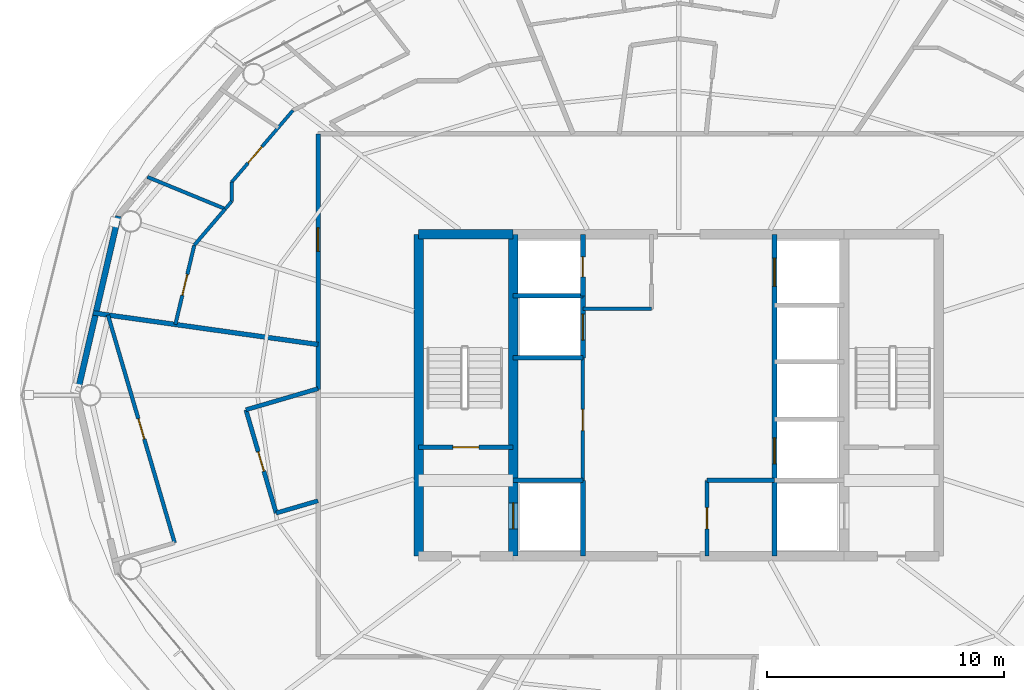
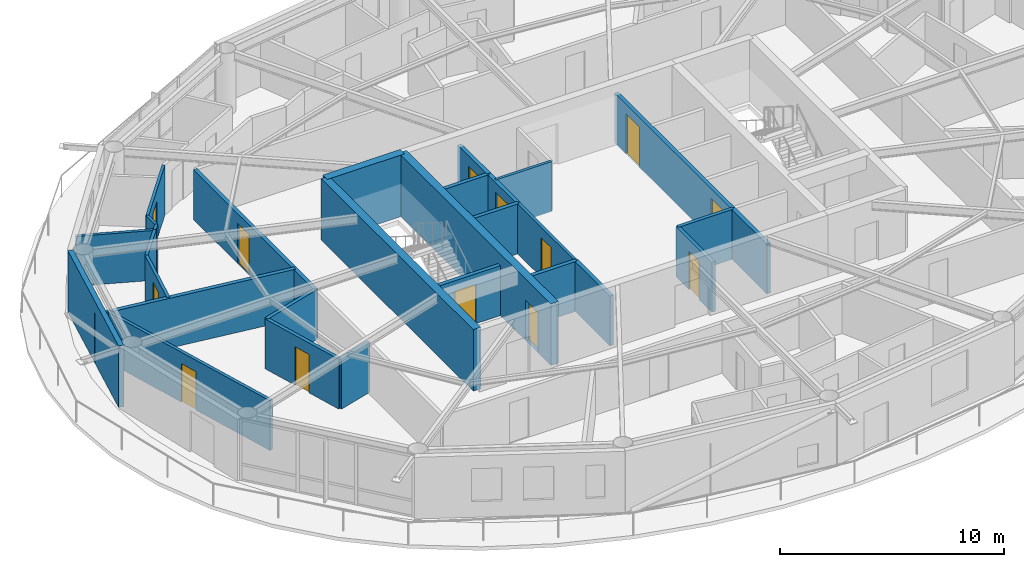
# One storey, part 16 of 23: 29 walls, 13 doors, 13 openings.
"""IFC4 building model written with IfcOpenShell, lengths in metres."""

from ifc_helpers import new_model, si_unit, direction, frame, frame_2d, origin, place, context, subcontext, project, spatial, rectangle, extrude, material, layer, layer_set, type_object, element, fill, save


model = new_model("IFC4")

# Units and contexts
model_context = context("Model", 3, precision=1e-05, world=origin(), true_north=direction((0.0, 1.0)))
body_context = subcontext(model_context, "Body", "Model", "MODEL_VIEW")
ifc_project = project(units=[si_unit("LENGTHUNIT", "METRE"), si_unit("AREAUNIT", "SQUARE_METRE"), si_unit("VOLUMEUNIT", "CUBIC_METRE"), si_unit("PLANEANGLEUNIT", "RADIAN"), si_unit("MASSUNIT", "GRAM", prefix="KILO")], contexts=[model_context])

# Site, building, storey
site_placement = place(None, origin())
site = spatial("IfcSite", under=ifc_project, at=site_placement, CompositionType="ELEMENT")
building_placement = place(site_placement, origin())
building = spatial("IfcBuilding", under=site, at=building_placement, Name="Sarneth Arch Tower", CompositionType="ELEMENT")
storey_placement = place(building_placement, frame((0.0, 0.0, 228.0)))
storey = spatial("IfcBuildingStorey", under=building, at=storey_placement, Name="L58", CompositionType="ELEMENT", Elevation=228.0)

# Walls
ifc_material_1 = material(Name="Concrete C50/60", Category="concrete")
ifc_layer_1 = layer(ifc_material_1, 0.39990234375)
ifc_layer_set_1 = layer_set([ifc_layer_1], Name="Concrete C50/60")
wall_type_1 = type_object("IfcWallType", Name="WALL-CORE-400", PredefinedType="SHEAR", material=ifc_layer_set_1)
wall_1_placement = place(storey_placement, frame((37.0, 48.800048828125, 0.0), z_axis=(0.0, 0.0, 1.0), x_axis=(1.0, 0.0, 0.0)))
element("IfcWall", 1, at=wall_1_placement, inside=storey, type_object=wall_type_1, Name="L58 Core shear wall N-W", PredefinedType="SHEAR", context=body_context, shape_type="SweptSolid", body=[
    extrude(rectangle(XDim=4.0, YDim=0.39990234375, at=frame_2d((2.0, 0.0))), origin(), (0.0, 0.0, 1.0), 3.360107421875),
])
wall_2_placement = place(storey_placement, frame((37.0, 35.199951171875, 0.0), z_axis=(0.0, 0.0, 1.0), x_axis=(0.0, 1.0, 0.0)))
element("IfcWall", 2, at=wall_2_placement, inside=storey, type_object=wall_type_1, Name="L58 Core shear wall W", PredefinedType="SHEAR", context=body_context, shape_type="SweptSolid", body=[
    extrude(rectangle(XDim=13.60009765625, YDim=0.39990234375, at=frame_2d((6.800048828125, 0.0))), origin(), (0.0, 0.0, 1.0), 3.360107421875),
])

# Wall, opening, door
wall_3_placement = place(storey_placement, frame((41.0, 35.199951171875, 0.0), z_axis=(0.0, 0.0, 1.0), x_axis=(0.0, 1.0, 0.0)))
wall_3 = element("IfcWall", 3, at=wall_3_placement, inside=storey, type_object=wall_type_1, Name="L58 Core shear wall WEB-W", PredefinedType="SHEAR", context=body_context, shape_type="SweptSolid", body=[
    extrude(rectangle(XDim=13.60009765625, YDim=0.39990234375, at=frame_2d((6.800048828125, 0.0))), origin(), (0.0, 0.0, 1.0), 3.360107421875),
])
opening_1_placement = place(wall_3_placement, frame((1.14990234375, 0.0, 0.0)))
opening_1 = element("IfcOpeningElement", 4, at=opening_1_placement, cuts=wall_3, Name="Opening LD-1", PredefinedType="OPENING", context=body_context, shape_type="SweptSolid", body=[
    extrude(rectangle(XDim=1.10009765625, YDim=2.199951171875, at=frame_2d((0.550048828125, 1.10009765625))), frame((0.0, 0.2099609375, 0.0), z_axis=(0.0, -1.0, 0.0), x_axis=(1.0, 0.0, 0.0)), (0.0, 0.0, 1.0), 0.419921875),
])
ifc_material_2 = material(Name="Brushed Stainless Steel 304 lift landing door", Category="steel")
door_type_1 = type_object("IfcDoorType", Name="DR-LIFT-SLIDE-1100", OperationType="SLIDING_TO_LEFT", PredefinedType="DOOR", material=ifc_material_2)
door_1_placement = place(opening_1_placement, origin())
door_1 = element("IfcDoor", 5, at=door_1_placement, inside=storey, type_object=door_type_1, Name="L58 Firefighting lift landing door FL-1", OperationType="SLIDING_TO_LEFT", OverallHeight=2.199951171875, OverallWidth=1.10009765625, PredefinedType="DOOR", context=body_context, shape_type="SweptSolid", body=[
    extrude(rectangle(XDim=1.10009765625, YDim=2.199951171875, at=frame_2d((0.550048828125, 1.10009765625))), frame((0.0, 0.02490234375, 0.0), z_axis=(0.0, -1.0, 0.0), x_axis=(1.0, 0.0, 0.0)), (0.0, 0.0, 1.0), 0.050048828125),
])
fill(opening_1, door_1)

ifc_material_3 = material(Name="Double steel-stud corridor fire wall", Category="steel")
ifc_layer_2 = layer(ifc_material_3, 0.18994140625)
ifc_layer_set_2 = layer_set([ifc_layer_2], Name="Double steel-stud corridor fire wall")
wall_type_2 = type_object("IfcWallType", Name="WALL-CORR-190", PredefinedType="PARTITIONING", material=ifc_layer_set_2)
wall_4_placement = place(storey_placement, frame((32.75, 42.242919921875, 0.0), z_axis=(0.0, 0.0, 1.0), x_axis=(0.0, 1.0, 0.0)))
wall_4 = element("IfcWall", 6, at=wall_4_placement, inside=storey, type_object=wall_type_2, Name="L58 Interior partition W-L58-TP-007", PredefinedType="PARTITIONING", context=body_context, shape_type="SweptSolid", body=[
    extrude(rectangle(XDim=10.80712890625, YDim=0.18994140625, at=frame_2d((5.403564453125, 0.0))), origin(), (0.0, 0.0, 1.0), 2.719970703125),
])
opening_2_placement = place(wall_4_placement, frame((5.83740234375, 0.0, 0.0)))
opening_2 = element("IfcOpeningElement", 7, at=opening_2_placement, cuts=wall_4, Name="Opening FD-08", PredefinedType="OPENING", context=body_context, shape_type="SweptSolid", body=[
    extrude(rectangle(XDim=1.0, YDim=2.199951171875, at=frame_2d((0.5, 1.10009765625))), frame((0.0, 0.10498046875, 0.0), z_axis=(0.0, -1.0, 0.0), x_axis=(1.0, 0.0, 0.0)), (0.0, 0.0, 1.0), 0.2099609375),
])
ifc_material_4 = material(Name="Hardwood timber acoustic fire door", Category="wood")
door_type_2 = type_object("IfcDoorType", Name="DR-FD60-1000", OperationType="SINGLE_SWING_LEFT", PredefinedType="DOOR", material=ifc_material_4)
door_2_placement = place(opening_2_placement, origin())
door_2 = element("IfcDoor", 8, at=door_2_placement, inside=storey, type_object=door_type_2, Name="L58 Interior door DR-L58-U3-ENT", OperationType="SINGLE_SWING_LEFT", OverallHeight=2.199951171875, OverallWidth=1.0, PredefinedType="DOOR", context=body_context, shape_type="SweptSolid", body=[
    extrude(rectangle(XDim=1.0, YDim=2.199951171875, at=frame_2d((0.5, 1.10009765625))), frame((0.0, 0.02490234375, 0.0), z_axis=(0.0, -1.0, 0.0), x_axis=(1.0, 0.0, 0.0)), (0.0, 0.0, 1.0), 0.050048828125),
])
fill(opening_2, door_2)

# Wall
ifc_material_5 = material(Name="Extruded terracotta rainscreen on Concrete C40/50 backing", Category="masonry")
ifc_layer_3 = layer(ifc_material_5, 0.25)
ifc_layer_set_3 = layer_set([ifc_layer_3], Name="Extruded terracotta rainscreen on Concrete C40/50 backing")
wall_type_3 = type_object("IfcWallType", Name="WALL-EXT-SPAND-250", PredefinedType="SOLIDWALL", material=ifc_layer_set_3)
wall_5_placement = place(storey_placement, frame((24.30615234375, 49.569580078125, 0.0), z_axis=(0.0, 0.0, 1.0), x_axis=(-0.225635078214, -0.974211892495, 0.0)))
element("IfcWall", 9, at=wall_5_placement, inside=storey, type_object=wall_type_3, Name="L58 Terracotta perimeter wall 08", PredefinedType="SOLIDWALL", context=body_context, shape_type="SweptSolid", body=[
    extrude(rectangle(XDim=7.77001953125, YDim=0.25, at=frame_2d((3.885009765625, 0.0))), origin(), (0.0, 0.0, 1.0), 3.360107421875),
])

# Wall, opening, door
ifc_material_6 = material(Name="Apartment internal stud partition", Category="gypsum")
ifc_layer_4 = layer(ifc_material_6, 0.139892578125)
ifc_layer_set_4 = layer_set([ifc_layer_4], Name="Apartment internal stud partition")
wall_type_4 = type_object("IfcWallType", Name="WALL-PART-140", PredefinedType="PARTITIONING", material=ifc_layer_set_4)
wall_6_placement = place(storey_placement, frame((31.68896484375, 54.0419921875, 0.0), z_axis=(0.0, 0.0, 1.0), x_axis=(-0.648985159088, -0.760801066826, 0.0)))
wall_6 = element("IfcWall", 10, at=wall_6_placement, inside=storey, type_object=wall_type_4, Name="L58 Interior partition W-L58-TP-063", PredefinedType="PARTITIONING", context=body_context, shape_type="SweptSolid", body=[
    extrude(rectangle(XDim=3.989013671875, YDim=0.139892578125, at=frame_2d((1.99462890625, 0.0))), origin(), (0.0, 0.0, 1.0), 2.719970703125),
])
opening_3_placement = place(wall_6_placement, frame((2.023193359375, 0.0, 0.0)))
opening_3 = element("IfcOpeningElement", 11, at=opening_3_placement, cuts=wall_6, Name="Opening ID-01", PredefinedType="OPENING", context=body_context, shape_type="SweptSolid", body=[
    extrude(rectangle(XDim=0.89990234375, YDim=2.10009765625, at=frame_2d((0.449951171875, 1.050048828125))), frame((0.0, 0.079833984375, 0.0), z_axis=(0.0, -1.0, 0.0), x_axis=(1.0, 0.0, 0.0)), (0.0, 0.0, 1.0), 0.159912109375),
])
ifc_material_7 = material(Name="Engineered hardwood flush door", Category="wood")
door_type_3 = type_object("IfcDoorType", Name="DR-INT-900", OperationType="SINGLE_SWING_LEFT", PredefinedType="DOOR", material=ifc_material_7)
door_3_placement = place(opening_3_placement, origin())
door_3 = element("IfcDoor", 12, at=door_3_placement, inside=storey, type_object=door_type_3, Name="L58 Interior door DR-L58-U3-BED1", OperationType="SINGLE_SWING_LEFT", OverallHeight=2.10009765625, OverallWidth=0.89990234375, PredefinedType="DOOR", context=body_context, shape_type="SweptSolid", body=[
    extrude(rectangle(XDim=0.89990234375, YDim=2.10009765625, at=frame_2d((0.449951171875, 1.050048828125))), frame((0.0, 0.02490234375, 0.0), z_axis=(0.0, -1.0, 0.0), x_axis=(1.0, 0.0, 0.0)), (0.0, 0.0, 1.0), 0.050048828125),
])
fill(opening_3, door_3)

# Walls
wall_7_placement = place(storey_placement, frame((29.10009765625, 51.007080078125, 0.0), z_axis=(0.0, 0.0, 1.0), x_axis=(0.0, -1.0, 0.0)))
element("IfcWall", 13, at=wall_7_placement, inside=storey, type_object=wall_type_4, Name="L58 Interior partition W-L58-TP-064", PredefinedType="PARTITIONING", context=body_context, shape_type="SweptSolid", body=[
    extrude(rectangle(XDim=0.81005859375, YDim=0.139892578125, at=frame_2d((0.405029296875, 0.0))), origin(), (0.0, 0.0, 1.0), 2.719970703125),
])
wall_8_placement = place(storey_placement, frame((29.10009765625, 50.197021484375, 0.0), z_axis=(0.0, 0.0, 1.0), x_axis=(-0.649360360175, -0.760480849617, 0.0)))
element("IfcWall", 14, at=wall_8_placement, inside=storey, type_object=wall_type_4, Name="L58 Interior partition W-L58-TP-065", PredefinedType="PARTITIONING", context=body_context, shape_type="SweptSolid", body=[
    extrude(rectangle(XDim=0.421875, YDim=0.139892578125, at=frame_2d((0.2109375, 0.0))), origin(), (0.0, 0.0, 1.0), 2.719970703125),
])

# Wall, opening, door
ifc_material_8 = material(Name="Acoustic gypsum stud partition", Category="gypsum")
ifc_layer_5 = layer(ifc_material_8, 0.14990234375)
ifc_layer_set_5 = layer_set([ifc_layer_5], Name="Acoustic gypsum stud partition")
wall_type_5 = type_object("IfcWallType", Name="WALL-PART-150", PredefinedType="PARTITIONING", material=ifc_layer_set_5)
wall_9_placement = place(storey_placement, frame((43.949951171875, 38.39990234375, 0.0), z_axis=(0.0, 0.0, 1.0), x_axis=(0.0, 1.0, 0.0)))
wall_9 = element("IfcWall", 15, at=wall_9_placement, inside=storey, type_object=wall_type_5, Name="L58 Interior partition W-L58-RECPL-E", PredefinedType="PARTITIONING", context=body_context, shape_type="SweptSolid", body=[
    extrude(rectangle(XDim=5.18017578125, YDim=0.14990234375, at=frame_2d((2.590087890625, 0.0))), origin(), (0.0, 0.0, 1.0), 2.719970703125),
])
opening_4_placement = place(wall_9_placement, frame((2.10009765625, 0.0, 0.0)))
opening_4 = element("IfcOpeningElement", 16, at=opening_4_placement, cuts=wall_9, Name="Opening FD-10", PredefinedType="OPENING", context=body_context, shape_type="SweptSolid", body=[
    extrude(rectangle(XDim=0.89990234375, YDim=2.14990234375, at=frame_2d((0.449951171875, 1.074951171875))), frame((0.0, 0.0849609375, 0.0), z_axis=(0.0, -1.0, 0.0), x_axis=(1.0, 0.0, 0.0)), (0.0, 0.0, 1.0), 0.169921875),
])
ifc_material_9 = material(Name="Galvanised Steel S275 riser/service fire door", Category="steel")
door_type_4 = type_object("IfcDoorType", Name="DR-FD60-900", OperationType="SINGLE_SWING_LEFT", PredefinedType="DOOR", material=ifc_material_9)
door_4_placement = place(opening_4_placement, origin())
door_4 = element("IfcDoor", 17, at=door_4_placement, inside=storey, type_object=door_type_4, Name="L58 Interior door DR-L58-RECPL1", OperationType="SINGLE_SWING_LEFT", OverallHeight=2.14990234375, OverallWidth=0.89990234375, PredefinedType="DOOR", context=body_context, shape_type="SweptSolid", body=[
    extrude(rectangle(XDim=0.89990234375, YDim=2.14990234375, at=frame_2d((0.449951171875, 1.074951171875))), frame((0.0, 0.02490234375, 0.0), z_axis=(0.0, -1.0, 0.0), x_axis=(1.0, 0.0, 0.0)), (0.0, 0.0, 1.0), 0.050048828125),
])
fill(opening_4, door_4)

# Walls
wall_10_placement = place(storey_placement, frame((43.949951171875, 45.64990234375, 0.0), z_axis=(0.0, 0.0, 1.0), x_axis=(1.0, 0.0, 0.0)))
element("IfcWall", 18, at=wall_10_placement, inside=storey, type_object=wall_type_5, Name="L58 Interior partition W-L58-CSUP1-S", PredefinedType="PARTITIONING", context=body_context, shape_type="SweptSolid", body=[
    extrude(rectangle(XDim=2.900146484375, YDim=0.14990234375, at=frame_2d((1.4501953125, 0.0))), origin(), (0.0, 0.0, 1.0), 2.719970703125),
])
wall_11_placement = place(storey_placement, frame((25.531494140625, 51.2294921875, 0.0), z_axis=(0.0, 0.0, 1.0), x_axis=(0.925009924445, -0.37994294266, 0.0)))
element("IfcWall", 19, at=wall_11_placement, inside=storey, type_object=wall_type_5, Name="L58 Interior partition W-L58-TP-071", PredefinedType="PARTITIONING", context=body_context, shape_type="SweptSolid", body=[
    extrude(rectangle(XDim=3.561767578125, YDim=0.14990234375, at=frame_2d((1.78076171875, 0.0))), origin(), (0.0, 0.0, 1.0), 2.719970703125),
])

# Wall, opening, door
wall_12_placement = place(storey_placement, frame((27.51904296875, 48.344970703125, 0.0), z_axis=(0.0, 0.0, 1.0), x_axis=(-0.232293676314, -0.97264569497, 0.0)))
wall_12 = element("IfcWall", 20, at=wall_12_placement, inside=storey, type_object=wall_type_5, Name="L58 Interior partition W-L58-TP-067", PredefinedType="PARTITIONING", context=body_context, shape_type="SweptSolid", body=[
    extrude(rectangle(XDim=3.4482421875, YDim=0.14990234375, at=frame_2d((1.72412109375, 0.0))), origin(), (0.0, 0.0, 1.0), 2.719970703125),
])
opening_5_placement = place(wall_12_placement, frame((1.274169921875, 0.0, 0.0)))
opening_5 = element("IfcOpeningElement", 21, at=opening_5_placement, cuts=wall_12, Name="Opening ID-01", PredefinedType="OPENING", context=body_context, shape_type="SweptSolid", body=[
    extrude(rectangle(XDim=0.89990234375, YDim=2.10009765625, at=frame_2d((0.449951171875, 1.050048828125))), frame((0.0, 0.0849609375, 0.0), z_axis=(0.0, -1.0, 0.0), x_axis=(1.0, 0.0, 0.0)), (0.0, 0.0, 1.0), 0.169921875),
])
door_5_placement = place(opening_5_placement, origin())
door_5 = element("IfcDoor", 22, at=door_5_placement, inside=storey, type_object=door_type_3, Name="L58 Interior door DR-L58-U3-BED2", OperationType="SINGLE_SWING_RIGHT", OverallHeight=2.10009765625, OverallWidth=0.89990234375, PredefinedType="DOOR", context=body_context, shape_type="SweptSolid", body=[
    extrude(rectangle(XDim=0.89990234375, YDim=2.10009765625, at=frame_2d((0.449951171875, 1.050048828125))), frame((0.0, 0.02490234375, 0.0), z_axis=(0.0, -1.0, 0.0), x_axis=(1.0, 0.0, 0.0)), (0.0, 0.0, 1.0), 0.050048828125),
])
fill(opening_5, door_5)

# Wall
wall_13_placement = place(storey_placement, frame((28.826171875, 49.876220703125, 0.0), z_axis=(0.0, 0.0, 1.0), x_axis=(-0.649252114502, -0.760573265251, 0.0)))
element("IfcWall", 23, at=wall_13_placement, inside=storey, type_object=wall_type_5, Name="L58 Interior partition W-L58-TP-066", PredefinedType="PARTITIONING", context=body_context, shape_type="SweptSolid", body=[
    extrude(rectangle(XDim=2.01318359375, YDim=0.14990234375, at=frame_2d((1.006591796875, 0.0))), origin(), (0.0, 0.0, 1.0), 2.719970703125),
])

# Wall, opening, door
ifc_material_10 = material(Name="Kitchen wet service chase wall", Category="gypsum")
ifc_layer_6 = layer(ifc_material_10, 0.159912109375)
ifc_layer_set_6 = layer_set([ifc_layer_6], Name="Kitchen wet service chase wall")
wall_type_6 = type_object("IfcWallType", Name="WALL-PLUMB-160", PredefinedType="PLUMBINGWALL", material=ifc_layer_set_6)
wall_14_placement = place(storey_placement, frame((23.867919921875, 45.3916015625, 0.0), z_axis=(0.0, 0.0, 1.0), x_axis=(0.281018983641, -0.959702209455, 0.0)))
wall_14 = element("IfcWall", 24, at=wall_14_placement, inside=storey, type_object=wall_type_6, Name="L58 Interior partition W-L58-TP-077", PredefinedType="PLUMBINGWALL", context=body_context, shape_type="SweptSolid", body=[
    extrude(rectangle(XDim=10.0361328125, YDim=0.159912109375, at=frame_2d((5.01806640625, 0.0))), origin(), (0.0, 0.0, 1.0), 2.719970703125),
])
opening_6_placement = place(wall_14_placement, frame((4.568115234375, 0.0, 0.0)))
opening_6 = element("IfcOpeningElement", 25, at=opening_6_placement, cuts=wall_14, Name="Opening ID-01", PredefinedType="OPENING", context=body_context, shape_type="SweptSolid", body=[
    extrude(rectangle(XDim=0.89990234375, YDim=2.10009765625, at=frame_2d((0.449951171875, 1.050048828125))), frame((0.0, 0.08984375, 0.0), z_axis=(0.0, -1.0, 0.0), x_axis=(1.0, 0.0, 0.0)), (0.0, 0.0, 1.0), 0.179931640625),
])
door_6_placement = place(opening_6_placement, origin())
door_6 = element("IfcDoor", 26, at=door_6_placement, inside=storey, type_object=door_type_3, Name="L58 Interior door DR-L58-U4-KIT", OperationType="SINGLE_SWING_LEFT", OverallHeight=2.10009765625, OverallWidth=0.89990234375, PredefinedType="DOOR", context=body_context, shape_type="SweptSolid", body=[
    extrude(rectangle(XDim=0.89990234375, YDim=2.10009765625, at=frame_2d((0.449951171875, 1.050048828125))), frame((0.0, 0.02490234375, 0.0), z_axis=(0.0, -1.0, 0.0), x_axis=(1.0, 0.0, 0.0)), (0.0, 0.0, 1.0), 0.050048828125),
])
fill(opening_6, door_6)

# Wall
ifc_material_11 = material(Name="Moisture-resistant plumbing chase wall", Category="gypsum")
ifc_layer_7 = layer(ifc_material_11, 0.179931640625)
ifc_layer_set_7 = layer_set([ifc_layer_7], Name="Moisture-resistant plumbing chase wall")
wall_type_7 = type_object("IfcWallType", Name="WALL-PLUMB-180", PredefinedType="PLUMBINGWALL", material=ifc_layer_set_7)
wall_15_placement = place(storey_placement, frame((49.199951171875, 38.39990234375, 0.0), z_axis=(0.0, 0.0, 1.0), x_axis=(1.0, 0.0, 0.0)))
element("IfcWall", 27, at=wall_15_placement, inside=storey, type_object=wall_type_7, Name="L58 Interior partition W-L58-AWC-N", PredefinedType="PLUMBINGWALL", context=body_context, shape_type="SweptSolid", body=[
    extrude(rectangle(XDim=2.85009765625, YDim=0.179931640625, at=frame_2d((1.425048828125, 0.0))), origin(), (0.0, 0.0, 1.0), 2.719970703125),
])

# Wall, opening, door
wall_16_placement = place(storey_placement, frame((49.199951171875, 35.199951171875, 0.0), z_axis=(0.0, 0.0, 1.0), x_axis=(0.0, 1.0, 0.0)))
wall_16 = element("IfcWall", 28, at=wall_16_placement, inside=storey, type_object=wall_type_7, Name="L58 Interior partition W-L58-AWC-W", PredefinedType="PLUMBINGWALL", context=body_context, shape_type="SweptSolid", body=[
    extrude(rectangle(XDim=3.199951171875, YDim=0.179931640625, at=frame_2d((1.60009765625, 0.0))), origin(), (0.0, 0.0, 1.0), 2.719970703125),
])
opening_7_placement = place(wall_16_placement, frame((1.14990234375, 0.0, 0.0)))
opening_7 = element("IfcOpeningElement", 29, at=opening_7_placement, cuts=wall_16, Name="Opening ID-01", PredefinedType="OPENING", context=body_context, shape_type="SweptSolid", body=[
    extrude(rectangle(XDim=0.89990234375, YDim=2.10009765625, at=frame_2d((0.449951171875, 1.050048828125))), frame((0.0, 0.099853515625, 0.0), z_axis=(0.0, -1.0, 0.0), x_axis=(1.0, 0.0, 0.0)), (0.0, 0.0, 1.0), 0.199951171875),
])
door_7_placement = place(opening_7_placement, origin())
door_7 = element("IfcDoor", 30, at=door_7_placement, inside=storey, type_object=door_type_3, Name="L58 Interior door DR-L58-AWC", OperationType="SINGLE_SWING_RIGHT", OverallHeight=2.10009765625, OverallWidth=0.89990234375, PredefinedType="DOOR", context=body_context, shape_type="SweptSolid", body=[
    extrude(rectangle(XDim=0.89990234375, YDim=2.10009765625, at=frame_2d((0.449951171875, 1.050048828125))), frame((0.0, 0.02490234375, 0.0), z_axis=(0.0, -1.0, 0.0), x_axis=(1.0, 0.0, 0.0)), (0.0, 0.0, 1.0), 0.050048828125),
])
fill(opening_7, door_7)

wall_17_placement = place(storey_placement, frame((30.98046875, 37.0166015625, 0.0), z_axis=(0.0, 0.0, 1.0), x_axis=(-0.281021691617, 0.959701416504, 0.0)))
wall_17 = element("IfcWall", 31, at=wall_17_placement, inside=storey, type_object=wall_type_7, Name="L58 Interior partition W-L58-TP-075", PredefinedType="PLUMBINGWALL", context=body_context, shape_type="SweptSolid", body=[
    extrude(rectangle(XDim=4.550537109375, YDim=0.179931640625, at=frame_2d((2.275390625, 0.0))), origin(), (0.0, 0.0, 1.0), 2.719970703125),
])
opening_8_placement = place(wall_17_placement, frame((1.85009765625, 0.0, 0.0)))
opening_8 = element("IfcOpeningElement", 32, at=opening_8_placement, cuts=wall_17, Name="Opening ID-02", PredefinedType="OPENING", context=body_context, shape_type="SweptSolid", body=[
    extrude(rectangle(XDim=0.85009765625, YDim=2.10009765625, at=frame_2d((0.425048828125, 1.050048828125))), frame((0.0, 0.099853515625, 0.0), z_axis=(0.0, -1.0, 0.0), x_axis=(1.0, 0.0, 0.0)), (0.0, 0.0, 1.0), 0.199951171875),
])
ifc_material_12 = material(Name="Moisture-resistant bathroom timber door", Category="wood")
door_type_5 = type_object("IfcDoorType", Name="DR-INT-850", OperationType="SINGLE_SWING_RIGHT", PredefinedType="DOOR", material=ifc_material_12)
door_8_placement = place(opening_8_placement, origin())
door_8 = element("IfcDoor", 33, at=door_8_placement, inside=storey, type_object=door_type_5, Name="L58 Interior door DR-L58-U4-BATH", OperationType="SINGLE_SWING_RIGHT", OverallHeight=2.10009765625, OverallWidth=0.85009765625, PredefinedType="DOOR", context=body_context, shape_type="SweptSolid", body=[
    extrude(rectangle(XDim=0.85009765625, YDim=2.10009765625, at=frame_2d((0.425048828125, 1.050048828125))), frame((0.0, 0.02490234375, 0.0), z_axis=(0.0, -1.0, 0.0), x_axis=(1.0, 0.0, 0.0)), (0.0, 0.0, 1.0), 0.050048828125),
])
fill(opening_8, door_8)

# Walls
wall_18_placement = place(storey_placement, frame((29.70166015625, 41.3837890625, 0.0), z_axis=(0.0, 0.0, 1.0), x_axis=(0.959705055225, 0.281009264929, 0.0)))
element("IfcWall", 34, at=wall_18_placement, inside=storey, type_object=wall_type_7, Name="L58 Interior partition W-L58-TP-076", PredefinedType="PLUMBINGWALL", context=body_context, shape_type="SweptSolid", body=[
    extrude(rectangle(XDim=3.17626953125, YDim=0.179931640625, at=frame_2d((1.588134765625, 0.0))), origin(), (0.0, 0.0, 1.0), 2.719970703125),
])
wall_19_placement = place(storey_placement, frame((32.75, 37.534912109375, 0.0), z_axis=(0.0, 0.0, 1.0), x_axis=(-0.959679055102, -0.281098045527, 0.0)))
element("IfcWall", 35, at=wall_19_placement, inside=storey, type_object=wall_type_7, Name="L58 Interior partition W-L58-TP-074", PredefinedType="PLUMBINGWALL", context=body_context, shape_type="SweptSolid", body=[
    extrude(rectangle(XDim=1.843994140625, YDim=0.179931640625, at=frame_2d((0.921875, 0.0))), origin(), (0.0, 0.0, 1.0), 2.719970703125),
])

# Wall, opening, door
ifc_material_13 = material(Name="Aerated concrete blockwork C25/30", Category="masonry")
ifc_layer_8 = layer(ifc_material_13, 0.199951171875)
ifc_layer_set_8 = layer_set([ifc_layer_8], Name="Aerated concrete blockwork C25/30")
wall_type_8 = type_object("IfcWallType", Name="WALL-SHAFT-200", PredefinedType="SOLIDWALL", material=ifc_layer_set_8)
wall_20_placement = place(storey_placement, frame((37.0, 39.800048828125, 0.0), z_axis=(0.0, 0.0, 1.0), x_axis=(1.0, 0.0, 0.0)))
wall_20 = element("IfcWall", 36, at=wall_20_placement, inside=storey, type_object=wall_type_8, Name="L58 Interior partition W-L58-ST1-S", PredefinedType="SOLIDWALL", context=body_context, shape_type="SweptSolid", body=[
    extrude(rectangle(XDim=4.0, YDim=0.199951171875, at=frame_2d((2.0, 0.0))), origin(), (0.0, 0.0, 1.0), 2.719970703125),
])
opening_9_placement = place(wall_20_placement, frame((1.449951171875, 0.0, 0.0)))
opening_9 = element("IfcOpeningElement", 37, at=opening_9_placement, cuts=wall_20, Name="Opening FD-03", PredefinedType="OPENING", context=body_context, shape_type="SweptSolid", body=[
    extrude(rectangle(XDim=1.10009765625, YDim=2.14990234375, at=frame_2d((0.550048828125, 1.074951171875))), frame((0.0, 0.10986328125, 0.0), z_axis=(0.0, -1.0, 0.0), x_axis=(1.0, 0.0, 0.0)), (0.0, 0.0, 1.0), 0.219970703125),
])
ifc_material_14 = material(Name="Galvanised Steel S275 fire door set", Category="steel")
door_type_6 = type_object("IfcDoorType", Name="DR-FD90-1100", OperationType="SINGLE_SWING_LEFT", PredefinedType="DOOR", material=ifc_material_14)
door_9_placement = place(opening_9_placement, origin())
door_9 = element("IfcDoor", 38, at=door_9_placement, inside=storey, type_object=door_type_6, Name="L58 Interior door DR-L58-ST1", OperationType="SINGLE_SWING_LEFT", OverallHeight=2.14990234375, OverallWidth=1.10009765625, PredefinedType="DOOR", context=body_context, shape_type="SweptSolid", body=[
    extrude(rectangle(XDim=1.10009765625, YDim=2.14990234375, at=frame_2d((0.550048828125, 1.074951171875))), frame((0.0, 0.02490234375, 0.0), z_axis=(0.0, -1.0, 0.0), x_axis=(1.0, 0.0, 0.0)), (0.0, 0.0, 1.0), 0.050048828125),
])
fill(opening_9, door_9)

# Walls
wall_21_placement = place(storey_placement, frame((43.949951171875, 35.199951171875, 0.0), z_axis=(0.0, 0.0, 1.0), x_axis=(0.0, 1.0, 0.0)))
element("IfcWall", 39, at=wall_21_placement, inside=storey, type_object=wall_type_8, Name="L58 Interior partition W-L58-FL1-E", PredefinedType="SOLIDWALL", context=body_context, shape_type="SweptSolid", body=[
    extrude(rectangle(XDim=3.199951171875, YDim=0.199951171875, at=frame_2d((1.60009765625, 0.0))), origin(), (0.0, 0.0, 1.0), 2.719970703125),
])
wall_22_placement = place(storey_placement, frame((41.0, 38.39990234375, 0.0), z_axis=(0.0, 0.0, 1.0), x_axis=(1.0, 0.0, 0.0)))
element("IfcWall", 40, at=wall_22_placement, inside=storey, type_object=wall_type_8, Name="L58 Interior partition W-L58-FL1-N", PredefinedType="SOLIDWALL", context=body_context, shape_type="SweptSolid", body=[
    extrude(rectangle(XDim=2.949951171875, YDim=0.199951171875, at=frame_2d((1.47509765625, 0.0))), origin(), (0.0, 0.0, 1.0), 2.719970703125),
])
wall_23_placement = place(storey_placement, frame((52.050048828125, 35.199951171875, 0.0), z_axis=(0.0, 0.0, 1.0), x_axis=(0.0, 1.0, 0.0)))
element("IfcWall", 41, at=wall_23_placement, inside=storey, type_object=wall_type_8, Name="L58 Interior partition W-L58-FL2-W", PredefinedType="SOLIDWALL", context=body_context, shape_type="SweptSolid", body=[
    extrude(rectangle(XDim=3.199951171875, YDim=0.199951171875, at=frame_2d((1.60009765625, 0.0))), origin(), (0.0, 0.0, 1.0), 2.719970703125),
])
wall_24_placement = place(storey_placement, frame((41.0, 46.199951171875, 0.0), z_axis=(0.0, 0.0, 1.0), x_axis=(1.0, 0.0, 0.0)))
element("IfcWall", 42, at=wall_24_placement, inside=storey, type_object=wall_type_8, Name="L58 Interior partition W-L58-RISER-S", PredefinedType="SOLIDWALL", context=body_context, shape_type="SweptSolid", body=[
    extrude(rectangle(XDim=2.949951171875, YDim=0.199951171875, at=frame_2d((1.47509765625, 0.0))), origin(), (0.0, 0.0, 1.0), 2.719970703125),
])

# Wall, opening, door
wall_25_placement = place(storey_placement, frame((43.949951171875, 46.199951171875, 0.0), z_axis=(0.0, 0.0, 1.0), x_axis=(0.0, 1.0, 0.0)))
wall_25 = element("IfcWall", 43, at=wall_25_placement, inside=storey, type_object=wall_type_8, Name="L58 Interior partition W-L58-RISER-E", PredefinedType="SOLIDWALL", context=body_context, shape_type="SweptSolid", body=[
    extrude(rectangle(XDim=2.60009765625, YDim=0.199951171875, at=frame_2d((1.300048828125, 0.0))), origin(), (0.0, 0.0, 1.0), 2.719970703125),
])
opening_10_placement = place(wall_25_placement, frame((0.800048828125, 0.0, 0.0)))
opening_10 = element("IfcOpeningElement", 44, at=opening_10_placement, cuts=wall_25, Name="Opening FD-11", PredefinedType="OPENING", context=body_context, shape_type="SweptSolid", body=[
    extrude(rectangle(XDim=0.85009765625, YDim=2.14990234375, at=frame_2d((0.425048828125, 1.074951171875))), frame((0.0, 0.10986328125, 0.0), z_axis=(0.0, -1.0, 0.0), x_axis=(1.0, 0.0, 0.0)), (0.0, 0.0, 1.0), 0.219970703125),
])
ifc_material_15 = material(Name="Galvanised Steel S275 closet fire door", Category="steel")
door_type_7 = type_object("IfcDoorType", Name="DR-FD60-850", OperationType="SINGLE_SWING_LEFT", PredefinedType="DOOR", material=ifc_material_15)
door_10_placement = place(opening_10_placement, origin())
door_10 = element("IfcDoor", 45, at=door_10_placement, inside=storey, type_object=door_type_7, Name="L58 Lift landing door DR-L58-RISER", OperationType="SINGLE_SWING_LEFT", OverallHeight=2.14990234375, OverallWidth=0.85009765625, PredefinedType="DOOR", context=body_context, shape_type="SweptSolid", body=[
    extrude(rectangle(XDim=0.85009765625, YDim=2.14990234375, at=frame_2d((0.425048828125, 1.074951171875))), frame((0.0, 0.02490234375, 0.0), z_axis=(0.0, -1.0, 0.0), x_axis=(1.0, 0.0, 0.0)), (0.0, 0.0, 1.0), 0.050048828125),
])
fill(opening_10, door_10)

# Wall
wall_26_placement = place(storey_placement, frame((41.0, 43.580078125, 0.0), z_axis=(0.0, 0.0, 1.0), x_axis=(1.0, 0.0, 0.0)))
element("IfcWall", 46, at=wall_26_placement, inside=storey, type_object=wall_type_8, Name="L58 Interior partition W-L58-PM1-S", PredefinedType="SOLIDWALL", context=body_context, shape_type="SweptSolid", body=[
    extrude(rectangle(XDim=2.949951171875, YDim=0.199951171875, at=frame_2d((1.47509765625, 0.0))), origin(), (0.0, 0.0, 1.0), 2.719970703125),
])

# Wall, opening, door
wall_27_placement = place(storey_placement, frame((43.949951171875, 43.580078125, 0.0), z_axis=(0.0, 0.0, 1.0), x_axis=(0.0, 1.0, 0.0)))
wall_27 = element("IfcWall", 47, at=wall_27_placement, inside=storey, type_object=wall_type_8, Name="L58 Interior partition W-L58-PM1-FRONT", PredefinedType="SOLIDWALL", context=body_context, shape_type="SweptSolid", body=[
    extrude(rectangle(XDim=2.619873046875, YDim=0.199951171875, at=frame_2d((1.31005859375, 0.0))), origin(), (0.0, 0.0, 1.0), 2.719970703125),
])
opening_11_placement = place(wall_27_placement, frame((0.75, 0.0, 0.0)))
opening_11 = element("IfcOpeningElement", 48, at=opening_11_placement, cuts=wall_27, Name="Opening LD-1", PredefinedType="OPENING", context=body_context, shape_type="SweptSolid", body=[
    extrude(rectangle(XDim=1.10009765625, YDim=2.199951171875, at=frame_2d((0.550048828125, 1.10009765625))), frame((0.0, 0.10986328125, 0.0), z_axis=(0.0, -1.0, 0.0), x_axis=(1.0, 0.0, 0.0)), (0.0, 0.0, 1.0), 0.219970703125),
])
door_11_placement = place(opening_11_placement, origin())
door_11 = element("IfcDoor", 49, at=door_11_placement, inside=storey, type_object=door_type_1, Name="L58 Lift landing door DR-L58-LD-PM1", OperationType="SLIDING_TO_LEFT", OverallHeight=2.199951171875, OverallWidth=1.10009765625, PredefinedType="DOOR", context=body_context, shape_type="SweptSolid", body=[
    extrude(rectangle(XDim=1.10009765625, YDim=2.199951171875, at=frame_2d((0.550048828125, 1.10009765625))), frame((0.0, 0.02490234375, 0.0), z_axis=(0.0, -1.0, 0.0), x_axis=(1.0, 0.0, 0.0)), (0.0, 0.0, 1.0), 0.050048828125),
])
fill(opening_11, door_11)

# Wall, openings, doors
wall_28_placement = place(storey_placement, frame((52.050048828125, 38.39990234375, 0.0), z_axis=(0.0, 0.0, 1.0), x_axis=(0.0, 1.0, 0.0)))
wall_28 = element("IfcWall", 50, at=wall_28_placement, inside=storey, type_object=wall_type_8, Name="L58 Interior partition W-L58-EASTBANK-FRONT", PredefinedType="SOLIDWALL", context=body_context, shape_type="SweptSolid", body=[
    extrude(rectangle(XDim=10.400146484375, YDim=0.199951171875, at=frame_2d((5.2001953125, 0.0))), origin(), (0.0, 0.0, 1.0), 2.719970703125),
])
opening_12_placement = place(wall_28_placement, frame((0.699951171875, 0.0, 0.0)))
opening_12 = element("IfcOpeningElement", 51, at=opening_12_placement, cuts=wall_28, Name="Opening LD-1", PredefinedType="OPENING", context=body_context, shape_type="SweptSolid", body=[
    extrude(rectangle(XDim=1.10009765625, YDim=2.199951171875, at=frame_2d((0.550048828125, 1.10009765625))), frame((0.0, 0.10986328125, 0.0), z_axis=(0.0, -1.0, 0.0), x_axis=(1.0, 0.0, 0.0)), (0.0, 0.0, 1.0), 0.219970703125),
])
opening_13_placement = place(wall_28_placement, frame((8.199951171875, 0.0, 0.0)))
opening_13 = element("IfcOpeningElement", 52, at=opening_13_placement, cuts=wall_28, Name="Opening LD-2", PredefinedType="OPENING", context=body_context, shape_type="SweptSolid", body=[
    extrude(rectangle(XDim=1.199951171875, YDim=2.199951171875, at=frame_2d((0.60009765625, 1.10009765625))), frame((0.0, 0.10986328125, 0.0), z_axis=(0.0, -1.0, 0.0), x_axis=(1.0, 0.0, 0.0)), (0.0, 0.0, 1.0), 0.219970703125),
])
door_12_placement = place(opening_12_placement, origin())
door_12 = element("IfcDoor", 53, at=door_12_placement, inside=storey, type_object=door_type_1, Name="L58 Lift landing door DR-L58-LD-PM2", OperationType="SLIDING_TO_LEFT", OverallHeight=2.199951171875, OverallWidth=1.10009765625, PredefinedType="DOOR", context=body_context, shape_type="SweptSolid", body=[
    extrude(rectangle(XDim=1.10009765625, YDim=2.199951171875, at=frame_2d((0.550048828125, 1.10009765625))), frame((0.0, 0.02490234375, 0.0), z_axis=(0.0, -1.0, 0.0), x_axis=(1.0, 0.0, 0.0)), (0.0, 0.0, 1.0), 0.050048828125),
])
fill(opening_12, door_12)
ifc_material_16 = material(Name="Brushed Stainless Steel 304 service lift door", Category="steel")
door_type_8 = type_object("IfcDoorType", Name="DR-LIFT-SLIDE-1200", OperationType="SLIDING_TO_RIGHT", PredefinedType="DOOR", material=ifc_material_16)
door_13_placement = place(opening_13_placement, origin())
door_13 = element("IfcDoor", 54, at=door_13_placement, inside=storey, type_object=door_type_8, Name="L58 Lift landing door DR-L58-LD-SL1", OperationType="SLIDING_TO_RIGHT", OverallHeight=2.199951171875, OverallWidth=1.199951171875, PredefinedType="DOOR", context=body_context, shape_type="SweptSolid", body=[
    extrude(rectangle(XDim=1.199951171875, YDim=2.199951171875, at=frame_2d((0.60009765625, 1.10009765625))), frame((0.0, 0.02490234375, 0.0), z_axis=(0.0, -1.0, 0.0), x_axis=(1.0, 0.0, 0.0)), (0.0, 0.0, 1.0), 0.050048828125),
])
fill(opening_13, door_13)

# Wall
ifc_material_17 = material(Name="Double steel-stud acoustic drywall", Category="steel")
ifc_layer_9 = layer(ifc_material_17, 0.199951171875)
ifc_layer_set_9 = layer_set([ifc_layer_9], Name="Double steel-stud acoustic drywall")
wall_type_9 = type_object("IfcWallType", Name="WALL-UNIT-200", PredefinedType="PARTITIONING", material=ifc_layer_set_9)
wall_29_placement = place(storey_placement, frame((23.236572265625, 45.480224609375, 0.0), z_axis=(0.0, 0.0, 1.0), x_axis=(0.990269661234, -0.139161769316, 0.0)))
element("IfcWall", 55, at=wall_29_placement, inside=storey, type_object=wall_type_9, Name="L58 Interior partition W-L58-TP-068", PredefinedType="PARTITIONING", context=body_context, shape_type="SweptSolid", body=[
    extrude(rectangle(XDim=9.60693359375, YDim=0.199951171875, at=frame_2d((4.803466796875, 0.0))), origin(), (0.0, 0.0, 1.0), 2.719970703125),
])

save(model, "model.ifc")
